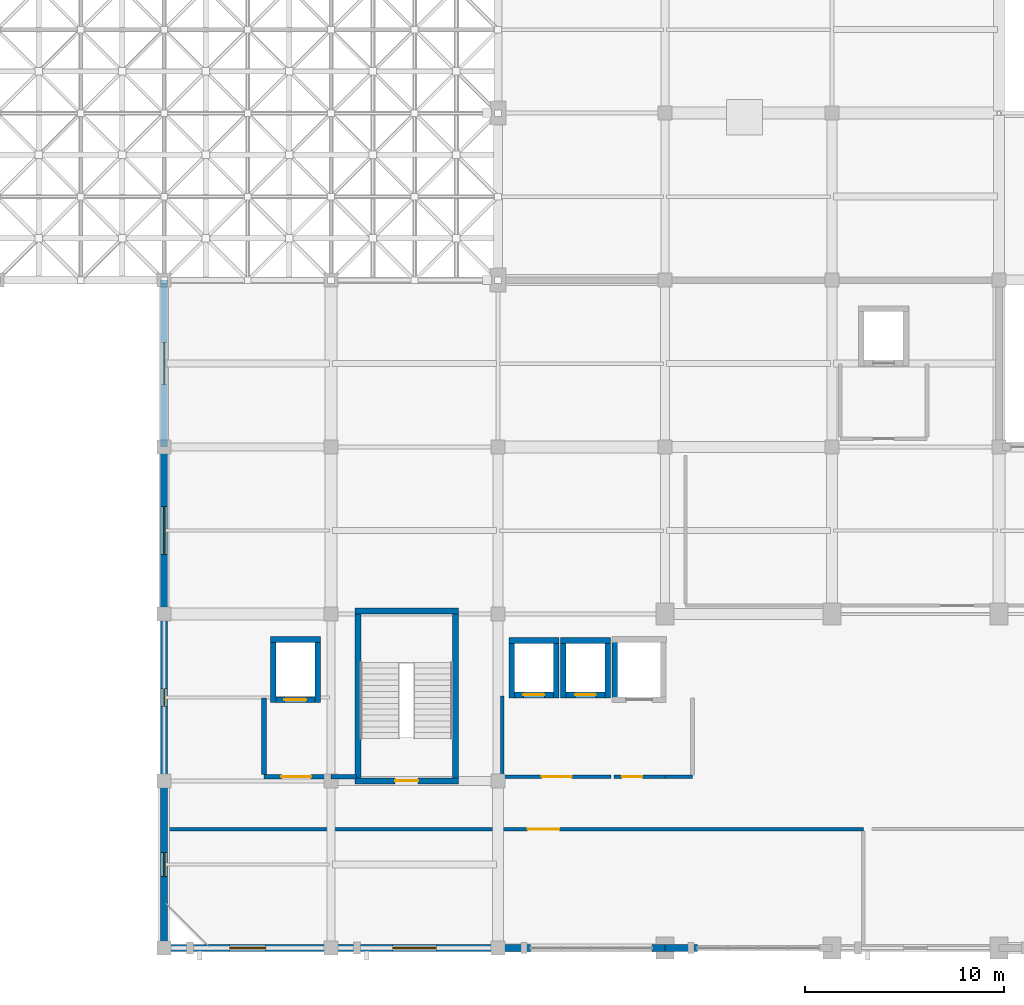
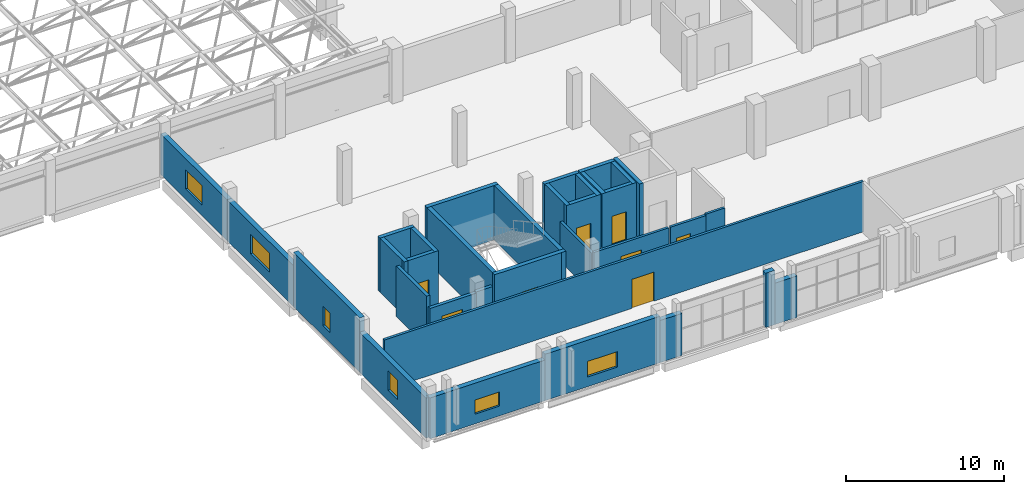
# One storey, part 51 of 64: 34 walls, 8 doors, 6 windows, 14 openings.
"""IFC4 building model written with IfcOpenShell, lengths in metres."""

from ifc_helpers import new_model, si_unit, derived_unit, direction, frame, frame_2d, origin, place, context, subcontext, project, spatial, rectangle, extrude, material, layer, layer_set, type_object, element, fill, save


model = new_model("IFC4")

# Units and contexts
model_context = context("Model", 3, precision=1e-05, world=origin(), true_north=direction((0.0, 1.0)))
body_context = subcontext(model_context, "Body", "Model", "MODEL_VIEW")
ifc_project = project(units=[si_unit("LENGTHUNIT", "METRE"), si_unit("AREAUNIT", "SQUARE_METRE"), si_unit("VOLUMEUNIT", "CUBIC_METRE"), si_unit("PLANEANGLEUNIT", "RADIAN"), si_unit("MASSUNIT", "GRAM", prefix="KILO"), derived_unit("THERMALTRANSMITTANCEUNIT", [(si_unit("POWERUNIT", "WATT"), 1), (si_unit("LENGTHUNIT", "METRE"), -2), (si_unit("THERMODYNAMICTEMPERATUREUNIT", "KELVIN"), -1)])], contexts=[model_context])

# Site, building, storey
site_placement = place(None, origin())
site = spatial("IfcSite", under=ifc_project, at=site_placement, CompositionType="ELEMENT")
building_placement = place(site_placement, origin())
building = spatial("IfcBuilding", under=site, at=building_placement, Name="Barrovel Congress Hotel", CompositionType="ELEMENT")
storey_placement = place(building_placement, frame((0.0, 0.0, 14.10009765625)))
storey = spatial("IfcBuildingStorey", under=building, at=storey_placement, Name="L03", CompositionType="ELEMENT", Elevation=14.10009765625)

# Wall, opening, window
ifc_material_1 = material(Name="Fired Clay Brick Masonry", Category="masonry")
ifc_layer_1 = layer(ifc_material_1, 0.360107421875)
ifc_layer_set_1 = layer_set([ifc_layer_1], Name="Fired Clay Brick Masonry")
wall_type_1 = type_object("IfcWallType", Name="EW-BRK360", PredefinedType="STANDARD", material=ifc_layer_set_1)
wall_1_placement = place(storey_placement, frame((16.800048828125, 4.199951171875, 0.0), z_axis=(0.0, 0.0, 1.0), x_axis=(1.0, 0.0, 0.0)))
wall_1 = element("IfcWall", 1, at=wall_1_placement, inside=storey, type_object=wall_type_1, Name="EW:L03:S:02", PredefinedType="STANDARD", context=body_context, shape_type="SweptSolid", body=[
    extrude(rectangle(XDim=8.39990234375, YDim=0.360107421875, at=frame_2d((4.199951171875, 0.0))), origin(), (0.0, 0.0, 1.0), 3.14990234375),
])
opening_1_placement = place(wall_1_placement, frame((3.300048828125, 0.0, 0.75)))
opening_1 = element("IfcOpeningElement", 2, at=opening_1_placement, cuts=wall_1, Name="Opening WN-19", PredefinedType="OPENING", context=body_context, shape_type="SweptSolid", body=[
    extrude(rectangle(XDim=1.800048828125, YDim=1.10009765625, at=frame_2d((0.89990234375, 0.550048828125))), frame((0.0, 0.18994140625, 0.0), z_axis=(0.0, -1.0, 0.0), x_axis=(1.0, 0.0, 0.0)), (0.0, 0.0, 1.0), 0.380126953125),
])
ifc_material_2 = material(Name="Double Low-E Insulated Glazing", Category="glass")
window_type_1 = type_object("IfcWindowType", Name="WIN-WN-19", PartitioningType="SINGLE_PANEL", PredefinedType="WINDOW", material=ifc_material_2)
window_1_placement = place(opening_1_placement, origin())
window_1 = element("IfcWindow", 3, at=window_1_placement, inside=storey, type_object=window_type_1, Name="WIN:L03:S:02", OverallHeight=1.10009765625, OverallWidth=1.800048828125, PartitioningType="SINGLE_PANEL", PredefinedType="WINDOW", context=body_context, shape_type="SweptSolid", body=[
    extrude(rectangle(XDim=1.800048828125, YDim=1.10009765625, at=frame_2d((0.89990234375, 0.550048828125))), frame((0.0, 0.030029296875, 0.0), z_axis=(0.0, -1.0, 0.0), x_axis=(1.0, 0.0, 0.0)), (0.0, 0.0, 1.0), 0.06005859375),
])
fill(opening_1, window_1)

wall_2_placement = place(storey_placement, frame((25.199951171875, 4.199951171875, 0.0), z_axis=(0.0, 0.0, 1.0), x_axis=(1.0, 0.0, 0.0)))
wall_2 = element("IfcWall", 4, at=wall_2_placement, inside=storey, type_object=wall_type_1, Name="EW:L03:S:03", PredefinedType="STANDARD", context=body_context, shape_type="SweptSolid", body=[
    extrude(rectangle(XDim=8.400146484375, YDim=0.360107421875, at=frame_2d((4.2001953125, 0.0))), origin(), (0.0, 0.0, 1.0), 3.58984375),
])
opening_2_placement = place(wall_2_placement, frame((3.10009765625, 0.0, 0.75)))
opening_2 = element("IfcOpeningElement", 5, at=opening_2_placement, cuts=wall_2, Name="Opening WN-20", PredefinedType="OPENING", context=body_context, shape_type="SweptSolid", body=[
    extrude(rectangle(XDim=2.199951171875, YDim=1.199951171875, at=frame_2d((1.10009765625, 0.60009765625))), frame((0.0, 0.18994140625, 0.0), z_axis=(0.0, -1.0, 0.0), x_axis=(1.0, 0.0, 0.0)), (0.0, 0.0, 1.0), 0.380126953125),
])
window_type_2 = type_object("IfcWindowType", Name="WIN-WN-20", PartitioningType="SINGLE_PANEL", PredefinedType="WINDOW", material=ifc_material_2)
window_2_placement = place(opening_2_placement, origin())
window_2 = element("IfcWindow", 6, at=window_2_placement, inside=storey, type_object=window_type_2, Name="WIN:L03:S:03", OverallHeight=1.199951171875, OverallWidth=2.199951171875, PartitioningType="SINGLE_PANEL", PredefinedType="WINDOW", context=body_context, shape_type="SweptSolid", body=[
    extrude(rectangle(XDim=2.199951171875, YDim=1.199951171875, at=frame_2d((1.10009765625, 0.60009765625))), frame((0.0, 0.030029296875, 0.0), z_axis=(0.0, -1.0, 0.0), x_axis=(1.0, 0.0, 0.0)), (0.0, 0.0, 1.0), 0.06005859375),
])
fill(opening_2, window_2)

# Walls
wall_3_placement = place(storey_placement, frame((33.60009765625, 4.199951171875, 0.0), z_axis=(0.0, 0.0, 1.0), x_axis=(1.0, 0.0, 0.0)))
element("IfcWall", 7, at=wall_3_placement, inside=storey, type_object=wall_type_1, Name="EW:L03:SJ-L:4", PredefinedType="STANDARD", context=body_context, shape_type="SweptSolid", body=[
    extrude(rectangle(XDim=1.619873046875, YDim=0.360107421875, at=frame_2d((0.81005859375, 0.0))), origin(), (0.0, 0.0, 1.0), 3.25),
])
wall_4_placement = place(storey_placement, frame((41.340087890625, 4.199951171875, 0.0), z_axis=(0.0, 0.0, 1.0), x_axis=(1.0, 0.0, 0.0)))
element("IfcWall", 8, at=wall_4_placement, inside=storey, type_object=wall_type_1, Name="EW:L03:SJ-R:4", PredefinedType="STANDARD", context=body_context, shape_type="SweptSolid", body=[
    extrude(rectangle(XDim=0.659912109375, YDim=0.360107421875, at=frame_2d((0.330078125, 0.0))), origin(), (0.0, 0.0, 1.0), 4.199951171875),
])
wall_5_placement = place(storey_placement, frame((42.0, 4.199951171875, 0.0), z_axis=(0.0, 0.0, 1.0), x_axis=(1.0, 0.0, 0.0)))
element("IfcWall", 9, at=wall_5_placement, inside=storey, type_object=wall_type_1, Name="EW:L03:SJ-L:5", PredefinedType="STANDARD", context=body_context, shape_type="SweptSolid", body=[
    extrude(rectangle(XDim=1.6201171875, YDim=0.360107421875, at=frame_2d((0.81005859375, 0.0))), origin(), (0.0, 0.0, 1.0), 3.199951171875),
])

# Wall, opening, window
wall_6_placement = place(storey_placement, frame((16.800048828125, 37.800048828125, 0.0), z_axis=(0.0, 0.0, 1.0), x_axis=(0.0, -1.0, 0.0)))
wall_6 = element("IfcWall", 10, at=wall_6_placement, inside=storey, type_object=wall_type_1, Name="EW:L03:V4W:29.4", PredefinedType="STANDARD", context=body_context, shape_type="SweptSolid", body=[
    extrude(rectangle(XDim=8.400146484375, YDim=0.360107421875, at=frame_2d((4.2001953125, 0.0))), origin(), (0.0, 0.0, 1.0), 3.14990234375),
])
opening_3_placement = place(wall_6_placement, frame((3.14990234375, 0.0, 0.800048828125)))
opening_3 = element("IfcOpeningElement", 11, at=opening_3_placement, cuts=wall_6, Name="Opening WN-09", PredefinedType="OPENING", context=body_context, shape_type="SweptSolid", body=[
    extrude(rectangle(XDim=2.10009765625, YDim=1.5, at=frame_2d((1.050048828125, 0.75))), frame((0.0, 0.18994140625, 0.0), z_axis=(0.0, -1.0, 0.0), x_axis=(1.0, 0.0, 0.0)), (0.0, 0.0, 1.0), 0.380126953125),
])
window_type_3 = type_object("IfcWindowType", Name="WIN-WN-09", PartitioningType="SINGLE_PANEL", PredefinedType="WINDOW", material=ifc_material_2)
window_3_placement = place(opening_3_placement, origin())
window_3 = element("IfcWindow", 12, at=window_3_placement, inside=storey, type_object=window_type_3, Name="WIN:L03:V4W:29.4", OverallHeight=1.5, OverallWidth=2.10009765625, PartitioningType="SINGLE_PANEL", PredefinedType="WINDOW", context=body_context, shape_type="SweptSolid", body=[
    extrude(rectangle(XDim=2.10009765625, YDim=1.5, at=frame_2d((1.050048828125, 0.75))), frame((0.0, 0.030029296875, 0.0), z_axis=(0.0, -1.0, 0.0), x_axis=(1.0, 0.0, 0.0)), (0.0, 0.0, 1.0), 0.06005859375),
])
fill(opening_3, window_3)

wall_7_placement = place(storey_placement, frame((16.800048828125, 29.39990234375, 0.0), z_axis=(0.0, 0.0, 1.0), x_axis=(0.0, -1.0, 0.0)))
wall_7 = element("IfcWall", 13, at=wall_7_placement, inside=storey, type_object=wall_type_1, Name="EW:L03:V4W:21.0", PredefinedType="STANDARD", context=body_context, shape_type="SweptSolid", body=[
    extrude(rectangle(XDim=8.39990234375, YDim=0.360107421875, at=frame_2d((4.199951171875, 0.0))), origin(), (0.0, 0.0, 1.0), 3.14990234375),
])
opening_4_placement = place(wall_7_placement, frame((3.0, 0.0, 0.800048828125)))
opening_4 = element("IfcOpeningElement", 14, at=opening_4_placement, cuts=wall_7, Name="Opening WN-10", PredefinedType="OPENING", context=body_context, shape_type="SweptSolid", body=[
    extrude(rectangle(XDim=2.39990234375, YDim=1.5, at=frame_2d((1.199951171875, 0.75))), frame((0.0, 0.18994140625, 0.0), z_axis=(0.0, -1.0, 0.0), x_axis=(1.0, 0.0, 0.0)), (0.0, 0.0, 1.0), 0.380126953125),
])
window_type_4 = type_object("IfcWindowType", Name="WIN-WN-10", PartitioningType="SINGLE_PANEL", PredefinedType="WINDOW", material=ifc_material_2)
window_4_placement = place(opening_4_placement, origin())
window_4 = element("IfcWindow", 15, at=window_4_placement, inside=storey, type_object=window_type_4, Name="WIN:L03:V4W:21.0", OverallHeight=1.5, OverallWidth=2.39990234375, PartitioningType="SINGLE_PANEL", PredefinedType="WINDOW", context=body_context, shape_type="SweptSolid", body=[
    extrude(rectangle(XDim=2.39990234375, YDim=1.5, at=frame_2d((1.199951171875, 0.75))), frame((0.0, 0.030029296875, 0.0), z_axis=(0.0, -1.0, 0.0), x_axis=(1.0, 0.0, 0.0)), (0.0, 0.0, 1.0), 0.06005859375),
])
fill(opening_4, window_4)

wall_8_placement = place(storey_placement, frame((16.800048828125, 21.0, 0.0), z_axis=(0.0, 0.0, 1.0), x_axis=(0.0, -1.0, 0.0)))
wall_8 = element("IfcWall", 16, at=wall_8_placement, inside=storey, type_object=wall_type_1, Name="EW:L03:V4W:12.6", PredefinedType="STANDARD", context=body_context, shape_type="SweptSolid", body=[
    extrude(rectangle(XDim=8.39990234375, YDim=0.360107421875, at=frame_2d((4.199951171875, 0.0))), origin(), (0.0, 0.0, 1.0), 4.199951171875),
])
opening_5_placement = place(wall_8_placement, frame((3.75, 0.0, 0.800048828125)))
opening_5 = element("IfcOpeningElement", 17, at=opening_5_placement, cuts=wall_8, Name="Opening WN-11", PredefinedType="OPENING", context=body_context, shape_type="SweptSolid", body=[
    extrude(rectangle(XDim=0.89990234375, YDim=1.5, at=frame_2d((0.449951171875, 0.75))), frame((0.0, 0.18994140625, 0.0), z_axis=(0.0, -1.0, 0.0), x_axis=(1.0, 0.0, 0.0)), (0.0, 0.0, 1.0), 0.380126953125),
])
window_type_5 = type_object("IfcWindowType", Name="WIN-WN-11", PartitioningType="SINGLE_PANEL", PredefinedType="WINDOW", material=ifc_material_2)
window_5_placement = place(opening_5_placement, origin())
window_5 = element("IfcWindow", 18, at=window_5_placement, inside=storey, type_object=window_type_5, Name="WIN:L03:V4W:12.6", OverallHeight=1.5, OverallWidth=0.89990234375, PartitioningType="SINGLE_PANEL", PredefinedType="WINDOW", context=body_context, shape_type="SweptSolid", body=[
    extrude(rectangle(XDim=0.89990234375, YDim=1.5, at=frame_2d((0.449951171875, 0.75))), frame((0.0, 0.030029296875, 0.0), z_axis=(0.0, -1.0, 0.0), x_axis=(1.0, 0.0, 0.0)), (0.0, 0.0, 1.0), 0.06005859375),
])
fill(opening_5, window_5)

wall_9_placement = place(storey_placement, frame((16.800048828125, 12.60009765625, 0.0), z_axis=(0.0, 0.0, 1.0), x_axis=(0.0, -1.0, 0.0)))
wall_9 = element("IfcWall", 19, at=wall_9_placement, inside=storey, type_object=wall_type_1, Name="EW:L03:V4W:4.2", PredefinedType="STANDARD", context=body_context, shape_type="SweptSolid", body=[
    extrude(rectangle(XDim=8.400146484375, YDim=0.360107421875, at=frame_2d((4.2001953125, 0.0))), origin(), (0.0, 0.0, 1.0), 3.099853515625),
])
opening_6_placement = place(wall_9_placement, frame((3.60009765625, 0.0, 0.800048828125)))
opening_6 = element("IfcOpeningElement", 20, at=opening_6_placement, cuts=wall_9, Name="Opening WN-12", PredefinedType="OPENING", context=body_context, shape_type="SweptSolid", body=[
    extrude(rectangle(XDim=1.199951171875, YDim=1.5, at=frame_2d((0.60009765625, 0.75))), frame((0.0, 0.18994140625, 0.0), z_axis=(0.0, -1.0, 0.0), x_axis=(1.0, 0.0, 0.0)), (0.0, 0.0, 1.0), 0.380126953125),
])
window_type_6 = type_object("IfcWindowType", Name="WIN-WN-12", PartitioningType="SINGLE_PANEL", PredefinedType="WINDOW", material=ifc_material_2)
window_6_placement = place(opening_6_placement, origin())
window_6 = element("IfcWindow", 21, at=window_6_placement, inside=storey, type_object=window_type_6, Name="WIN:L03:V4W:4.2", OverallHeight=1.5, OverallWidth=1.199951171875, PartitioningType="SINGLE_PANEL", PredefinedType="WINDOW", context=body_context, shape_type="SweptSolid", body=[
    extrude(rectangle(XDim=1.199951171875, YDim=1.5, at=frame_2d((0.60009765625, 0.75))), frame((0.0, 0.030029296875, 0.0), z_axis=(0.0, -1.0, 0.0), x_axis=(1.0, 0.0, 0.0)), (0.0, 0.0, 1.0), 0.06005859375),
])
fill(opening_6, window_6)

# Wall, opening, door
ifc_material_3 = material(Name="Gypsum Acoustic Stud", Category="gypsum")
ifc_layer_2 = layer(ifc_material_3, 0.179931640625)
ifc_layer_set_2 = layer_set([ifc_layer_2], Name="Gypsum Acoustic Stud")
wall_type_2 = type_object("IfcWallType", Name="PW-ACU-180", PredefinedType="PARTITIONING", material=ifc_layer_set_2)
wall_10_placement = place(storey_placement, frame((33.820068359375, 12.820068359375, 0.0), z_axis=(0.0, 0.0, 1.0), x_axis=(1.0, 0.0, 0.0)))
wall_10 = element("IfcWall", 22, at=wall_10_placement, inside=storey, type_object=wall_type_2, Name="RW:SP:L03:LL-C1:S", PredefinedType="PARTITIONING", context=body_context, shape_type="SweptSolid", body=[
    extrude(rectangle(XDim=5.4599609375, YDim=0.179931640625, at=frame_2d((2.72998046875, 0.0))), origin(), (0.0, 0.0, 1.0), 3.14990234375),
])
opening_7_placement = place(wall_10_placement, frame((1.97998046875, 0.0, 0.0)))
opening_7 = element("IfcOpeningElement", 23, at=opening_7_placement, cuts=wall_10, Name="Opening ID-FFL", PredefinedType="OPENING", context=body_context, shape_type="SweptSolid", body=[
    extrude(rectangle(XDim=1.5, YDim=2.14990234375, at=frame_2d((0.75, 1.074951171875))), frame((0.0, 0.10009765625, 0.0), z_axis=(0.0, -1.0, 0.0), x_axis=(1.0, 0.0, 0.0)), (0.0, 0.0, 1.0), 0.199951171875),
])
ifc_material_4 = material(Name="Painted Hollow-Metal Steel Door", Category="steel")
door_type_1 = type_object("IfcDoorType", Name="IDR-ID-FFL", OperationType="NOTDEFINED", PredefinedType="DOOR", material=ifc_material_4)
door_1_placement = place(opening_7_placement, origin())
door_1 = element("IfcDoor", 24, at=door_1_placement, inside=storey, type_object=door_type_1, Name="RD:SP:L03:LL-C1", OperationType="DOUBLE_DOOR_SINGLE_SWING", OverallHeight=2.14990234375, OverallWidth=1.5, PredefinedType="DOOR", context=body_context, shape_type="SweptSolid", body=[
    extrude(rectangle(XDim=1.5, YDim=2.14990234375, at=frame_2d((0.75, 1.074951171875))), frame((0.0, 0.02490234375, 0.0), z_axis=(0.0, -1.0, 0.0), x_axis=(1.0, 0.0, 0.0)), (0.0, 0.0, 1.0), 0.050048828125),
])
fill(opening_7, door_1)

# Wall
wall_11_placement = place(storey_placement, frame((33.820068359375, 12.909912109375, 0.0), z_axis=(0.0, 0.0, 1.0), x_axis=(0.0, 1.0, 0.0)))
element("IfcWall", 25, at=wall_11_placement, inside=storey, type_object=wall_type_2, Name="RW:SP:L03:LL-C1:W", PredefinedType="PARTITIONING", context=body_context, shape_type="SweptSolid", body=[
    extrude(rectangle(XDim=3.969970703125, YDim=0.179931640625, at=frame_2d((1.98486328125, 0.0))), origin(), (0.0, 0.0, 1.0), 3.0498046875),
])

# Wall, opening, door
wall_12_placement = place(storey_placement, frame((39.419921875, 12.820068359375, 0.0), z_axis=(0.0, 0.0, 1.0), x_axis=(1.0, 0.0, 0.0)))
wall_12 = element("IfcWall", 26, at=wall_12_placement, inside=storey, type_object=wall_type_2, Name="RW:SP:L03:LL-SL1:S", PredefinedType="PARTITIONING", context=body_context, shape_type="SweptSolid", body=[
    extrude(rectangle(XDim=2.580078125, YDim=0.179931640625, at=frame_2d((1.2900390625, 0.0))), origin(), (0.0, 0.0, 1.0), 3.14990234375),
])
opening_8_placement = place(wall_12_placement, frame((0.419921875, 0.0, 0.0)))
opening_8 = element("IfcOpeningElement", 27, at=opening_8_placement, cuts=wall_12, Name="Opening ID-ACC", PredefinedType="OPENING", context=body_context, shape_type="SweptSolid", body=[
    extrude(rectangle(XDim=1.02001953125, YDim=2.14990234375, at=frame_2d((0.510009765625, 1.074951171875))), frame((0.0, 0.10009765625, 0.0), z_axis=(0.0, -1.0, 0.0), x_axis=(1.0, 0.0, 0.0)), (0.0, 0.0, 1.0), 0.199951171875),
])
ifc_material_5 = material(Name="Solid Oak Acoustic Timber Door", Category="wood")
door_type_2 = type_object("IfcDoorType", Name="IDR-ID-ACC", OperationType="NOTDEFINED", PredefinedType="DOOR", material=ifc_material_5)
door_2_placement = place(opening_8_placement, origin())
door_2 = element("IfcDoor", 28, at=door_2_placement, inside=storey, type_object=door_type_2, Name="RD:SP:L03:LL-SL1", OperationType="SINGLE_SWING_RIGHT", OverallHeight=2.14990234375, OverallWidth=1.02001953125, PredefinedType="DOOR", context=body_context, shape_type="SweptSolid", body=[
    extrude(rectangle(XDim=1.02001953125, YDim=2.14990234375, at=frame_2d((0.510009765625, 1.074951171875))), frame((0.0, 0.02490234375, 0.0), z_axis=(0.0, -1.0, 0.0), x_axis=(1.0, 0.0, 0.0)), (0.0, 0.0, 1.0), 0.050048828125),
])
fill(opening_8, door_2)

wall_13_placement = place(storey_placement, frame((16.97998046875, 10.179931640625, 0.0), z_axis=(0.0, 0.0, 1.0), x_axis=(1.0, 0.0, 0.0)))
wall_13 = element("IfcWall", 29, at=wall_13_placement, inside=storey, type_object=wall_type_2, Name="RW:SP:L03:EXEC-1:N", PredefinedType="PARTITIONING", context=body_context, shape_type="SweptSolid", body=[
    extrude(rectangle(XDim=35.0, YDim=0.179931640625, at=frame_2d((17.5, 0.0))), origin(), (0.0, 0.0, 1.0), 3.89501953125),
])
opening_9_placement = place(wall_13_placement, frame((18.10009765625, 0.0, 0.0)))
opening_9 = element("IfcOpeningElement", 30, at=opening_9_placement, cuts=wall_13, Name="Opening ID-MTG", PredefinedType="OPENING", context=body_context, shape_type="SweptSolid", body=[
    extrude(rectangle(XDim=1.60009765625, YDim=2.25, at=frame_2d((0.800048828125, 1.125))), frame((0.0, 0.10009765625, 0.0), z_axis=(0.0, -1.0, 0.0), x_axis=(1.0, 0.0, 0.0)), (0.0, 0.0, 1.0), 0.199951171875),
])
door_type_3 = type_object("IfcDoorType", Name="IDR-ID-MTG", OperationType="NOTDEFINED", PredefinedType="DOOR", material=ifc_material_5)
door_3_placement = place(opening_9_placement, origin())
door_3 = element("IfcDoor", 31, at=door_3_placement, inside=storey, type_object=door_type_3, Name="RD:SP:L03:EXEC-1", OperationType="DOUBLE_DOOR_SINGLE_SWING", OverallHeight=2.25, OverallWidth=1.60009765625, PredefinedType="DOOR", context=body_context, shape_type="SweptSolid", body=[
    extrude(rectangle(XDim=1.60009765625, YDim=2.25, at=frame_2d((0.800048828125, 1.125))), frame((0.0, 0.02490234375, 0.0), z_axis=(0.0, -1.0, 0.0), x_axis=(1.0, 0.0, 0.0)), (0.0, 0.0, 1.0), 0.050048828125),
])
fill(opening_9, door_3)

# Wall
wall_14_placement = place(storey_placement, frame((42.0, 12.820068359375, 0.0), z_axis=(0.0, 0.0, 1.0), x_axis=(1.0, 0.0, 0.0)))
element("IfcWall", 32, at=wall_14_placement, inside=storey, type_object=wall_type_2, Name="RW:SP:L03:LL-SL1:S:P02", PredefinedType="PARTITIONING", context=body_context, shape_type="SweptSolid", body=[
    extrude(rectangle(XDim=1.3798828125, YDim=0.179931640625, at=frame_2d((0.68994140625, 0.0))), origin(), (0.0, 0.0, 1.0), 3.25),
])

# Wall, opening, door
ifc_layer_3 = layer(ifc_material_1, 0.239990234375)
ifc_layer_set_3 = layer_set([ifc_layer_3], Name="Fired Clay Brick Masonry")
wall_type_3 = type_object("IfcWallType", Name="PW-MAS-240", PredefinedType="PARTITIONING", material=ifc_layer_set_3)
wall_15_placement = place(storey_placement, frame((21.820068359375, 12.820068359375, 0.0), z_axis=(0.0, 0.0, 1.0), x_axis=(1.0, 0.0, 0.0)))
wall_15 = element("IfcWall", 33, at=wall_15_placement, inside=storey, type_object=wall_type_3, Name="RW:SP:L03:FFL-1:S", PredefinedType="PARTITIONING", context=body_context, shape_type="SweptSolid", body=[
    extrude(rectangle(XDim=3.3798828125, YDim=0.239990234375, at=frame_2d((1.68994140625, 0.0))), origin(), (0.0, 0.0, 1.0), 3.0498046875),
])
opening_10_placement = place(wall_15_placement, frame((0.8798828125, 0.0, 0.0)))
opening_10 = element("IfcOpeningElement", 34, at=opening_10_placement, cuts=wall_15, Name="Opening ID-FFL", PredefinedType="OPENING", context=body_context, shape_type="SweptSolid", body=[
    extrude(rectangle(XDim=1.5, YDim=2.14990234375, at=frame_2d((0.75, 1.074951171875))), frame((0.0, 0.1298828125, 0.0), z_axis=(0.0, -1.0, 0.0), x_axis=(1.0, 0.0, 0.0)), (0.0, 0.0, 1.0), 0.260009765625),
])
door_4_placement = place(opening_10_placement, origin())
door_4 = element("IfcDoor", 35, at=door_4_placement, inside=storey, type_object=door_type_1, Name="RD:SP:L03:FFL-1", OperationType="DOUBLE_DOOR_SINGLE_SWING", OverallHeight=2.14990234375, OverallWidth=1.5, PredefinedType="DOOR", context=body_context, shape_type="SweptSolid", body=[
    extrude(rectangle(XDim=1.5, YDim=2.14990234375, at=frame_2d((0.75, 1.074951171875))), frame((0.0, 0.02490234375, 0.0), z_axis=(0.0, -1.0, 0.0), x_axis=(1.0, 0.0, 0.0)), (0.0, 0.0, 1.0), 0.050048828125),
])
fill(opening_10, door_4)

# Walls
wall_16_placement = place(storey_placement, frame((21.820068359375, 12.93994140625, 0.0), z_axis=(0.0, 0.0, 1.0), x_axis=(0.0, 1.0, 0.0)))
element("IfcWall", 36, at=wall_16_placement, inside=storey, type_object=wall_type_3, Name="RW:SP:L03:FFL-1:W", PredefinedType="PARTITIONING", context=body_context, shape_type="SweptSolid", body=[
    extrude(rectangle(XDim=3.840087890625, YDim=0.239990234375, at=frame_2d((1.919921875, 0.0))), origin(), (0.0, 0.0, 1.0), 3.89501953125),
])
wall_17_placement = place(storey_placement, frame((25.199951171875, 12.820068359375, 0.0), z_axis=(0.0, 0.0, 1.0), x_axis=(1.0, 0.0, 0.0)))
element("IfcWall", 37, at=wall_17_placement, inside=storey, type_object=wall_type_3, Name="RW:SP:L03:FFL-1:S:P02", PredefinedType="PARTITIONING", context=body_context, shape_type="SweptSolid", body=[
    extrude(rectangle(XDim=1.280029296875, YDim=0.239990234375, at=frame_2d((0.64013671875, 0.0))), origin(), (0.0, 0.0, 1.0), 3.14990234375),
])

# Wall, opening, door
ifc_material_6 = material(Name="Concrete C40", Category="concrete")
ifc_layer_4 = layer(ifc_material_6, 0.280029296875)
ifc_layer_set_4 = layer_set([ifc_layer_4], Name="Concrete C40")
wall_type_4 = type_object("IfcWallType", Name="SW-C40-280", PredefinedType="SHEAR", material=ifc_layer_set_4)
wall_18_placement = place(storey_placement, frame((22.139892578125, 16.679931640625, 0.0), z_axis=(0.0, 0.0, 1.0), x_axis=(1.0, 0.0, 0.0)))
wall_18 = element("IfcWall", 38, at=wall_18_placement, inside=storey, type_object=wall_type_4, Name="LSH:FL-1:L03:S", PredefinedType="SHEAR", context=body_context, shape_type="SweptSolid", body=[
    extrude(rectangle(XDim=2.52001953125, YDim=0.280029296875, at=frame_2d((1.260009765625, 0.0))), origin(), (0.0, 0.0, 1.0), 4.199951171875),
])
opening_11_placement = place(wall_18_placement, frame((0.7099609375, 0.0, 0.0)))
opening_11 = element("IfcOpeningElement", 39, at=opening_11_placement, cuts=wall_18, Name="Opening LD-FF", PredefinedType="OPENING", context=body_context, shape_type="SweptSolid", body=[
    extrude(rectangle(XDim=1.10009765625, YDim=2.199951171875, at=frame_2d((0.550048828125, 1.10009765625))), frame((0.0, 0.14990234375, 0.0), z_axis=(0.0, -1.0, 0.0), x_axis=(1.0, 0.0, 0.0)), (0.0, 0.0, 1.0), 0.300048828125),
])
ifc_material_7 = material(Name="Brushed Stainless Steel", Category="steel")
door_type_4 = type_object("IfcDoorType", Name="IDR-LD-FF", OperationType="NOTDEFINED", PredefinedType="DOOR", material=ifc_material_7)
door_5_placement = place(opening_11_placement, origin())
door_5 = element("IfcDoor", 40, at=door_5_placement, inside=storey, type_object=door_type_4, Name="Lift Landing Door LD-FL-1-L03", OperationType="SLIDING_TO_LEFT", OverallHeight=2.199951171875, OverallWidth=1.10009765625, PredefinedType="DOOR", context=body_context, shape_type="SweptSolid", body=[
    extrude(rectangle(XDim=1.10009765625, YDim=2.199951171875, at=frame_2d((0.550048828125, 1.10009765625))), frame((0.0, 0.02490234375, 0.0), z_axis=(0.0, -1.0, 0.0), x_axis=(1.0, 0.0, 0.0)), (0.0, 0.0, 1.0), 0.050048828125),
])
fill(opening_11, door_5)

# Walls
wall_19_placement = place(storey_placement, frame((24.52001953125, 16.5400390625, 0.0), z_axis=(0.0, 0.0, 1.0), x_axis=(0.0, 1.0, 0.0)))
element("IfcWall", 41, at=wall_19_placement, inside=storey, type_object=wall_type_4, Name="LSH:FL-1:L03:E", PredefinedType="SHEAR", context=body_context, shape_type="SweptSolid", body=[
    extrude(rectangle(XDim=3.320068359375, YDim=0.280029296875, at=frame_2d((1.66015625, 0.0))), origin(), (0.0, 0.0, 1.0), 4.199951171875),
])
wall_20_placement = place(storey_placement, frame((24.659912109375, 19.719970703125, 0.0), z_axis=(0.0, 0.0, 1.0), x_axis=(-1.0, 0.0, 0.0)))
element("IfcWall", 42, at=wall_20_placement, inside=storey, type_object=wall_type_4, Name="LSH:FL-1:L03:N", PredefinedType="SHEAR", context=body_context, shape_type="SweptSolid", body=[
    extrude(rectangle(XDim=2.52001953125, YDim=0.280029296875, at=frame_2d((1.260009765625, 0.0))), origin(), (0.0, 0.0, 1.0), 4.199951171875),
])
wall_21_placement = place(storey_placement, frame((22.280029296875, 19.860107421875, 0.0), z_axis=(0.0, 0.0, 1.0), x_axis=(0.0, -1.0, 0.0)))
element("IfcWall", 43, at=wall_21_placement, inside=storey, type_object=wall_type_4, Name="LSH:FL-1:L03:W", PredefinedType="SHEAR", context=body_context, shape_type="SweptSolid", body=[
    extrude(rectangle(XDim=3.320068359375, YDim=0.280029296875, at=frame_2d((1.66015625, 0.0))), origin(), (0.0, 0.0, 1.0), 4.199951171875),
])

# Wall, opening, door
wall_22_placement = place(storey_placement, frame((34.139892578125, 16.929931640625, 0.0), z_axis=(0.0, 0.0, 1.0), x_axis=(1.0, 0.0, 0.0)))
wall_22 = element("IfcWall", 44, at=wall_22_placement, inside=storey, type_object=wall_type_4, Name="LSH:PL-1:L03:S", PredefinedType="SHEAR", context=body_context, shape_type="SweptSolid", body=[
    extrude(rectangle(XDim=2.52001953125, YDim=0.280029296875, at=frame_2d((1.260009765625, 0.0))), origin(), (0.0, 0.0, 1.0), 4.199951171875),
])
opening_12_placement = place(wall_22_placement, frame((0.735107421875, 0.0, 0.0)))
opening_12 = element("IfcOpeningElement", 45, at=opening_12_placement, cuts=wall_22, Name="Opening LD-PAX", PredefinedType="OPENING", context=body_context, shape_type="SweptSolid", body=[
    extrude(rectangle(XDim=1.050048828125, YDim=2.199951171875, at=frame_2d((0.52490234375, 1.10009765625))), frame((0.0, 0.14990234375, 0.0), z_axis=(0.0, -1.0, 0.0), x_axis=(1.0, 0.0, 0.0)), (0.0, 0.0, 1.0), 0.300048828125),
])
door_type_5 = type_object("IfcDoorType", Name="IDR-LD-PAX", OperationType="NOTDEFINED", PredefinedType="DOOR", material=ifc_material_7)
door_6_placement = place(opening_12_placement, origin())
door_6 = element("IfcDoor", 46, at=door_6_placement, inside=storey, type_object=door_type_5, Name="Lift Landing Door LD-PL-1-L03", OperationType="SLIDING_TO_LEFT", OverallHeight=2.199951171875, OverallWidth=1.050048828125, PredefinedType="DOOR", context=body_context, shape_type="SweptSolid", body=[
    extrude(rectangle(XDim=1.050048828125, YDim=2.199951171875, at=frame_2d((0.52490234375, 1.10009765625))), frame((0.0, 0.02490234375, 0.0), z_axis=(0.0, -1.0, 0.0), x_axis=(1.0, 0.0, 0.0)), (0.0, 0.0, 1.0), 0.050048828125),
])
fill(opening_12, door_6)

# Walls
wall_23_placement = place(storey_placement, frame((36.52001953125, 16.7900390625, 0.0), z_axis=(0.0, 0.0, 1.0), x_axis=(0.0, 1.0, 0.0)))
element("IfcWall", 47, at=wall_23_placement, inside=storey, type_object=wall_type_4, Name="LSH:PL-1:L03:E", PredefinedType="SHEAR", context=body_context, shape_type="SweptSolid", body=[
    extrude(rectangle(XDim=3.02001953125, YDim=0.280029296875, at=frame_2d((1.510009765625, 0.0))), origin(), (0.0, 0.0, 1.0), 4.199951171875),
])
wall_24_placement = place(storey_placement, frame((36.659912109375, 19.669921875, 0.0), z_axis=(0.0, 0.0, 1.0), x_axis=(-1.0, 0.0, 0.0)))
element("IfcWall", 48, at=wall_24_placement, inside=storey, type_object=wall_type_4, Name="LSH:PL-1:L03:N", PredefinedType="SHEAR", context=body_context, shape_type="SweptSolid", body=[
    extrude(rectangle(XDim=2.52001953125, YDim=0.280029296875, at=frame_2d((1.260009765625, 0.0))), origin(), (0.0, 0.0, 1.0), 4.199951171875),
])
wall_25_placement = place(storey_placement, frame((34.280029296875, 19.81005859375, 0.0), z_axis=(0.0, 0.0, 1.0), x_axis=(0.0, -1.0, 0.0)))
element("IfcWall", 49, at=wall_25_placement, inside=storey, type_object=wall_type_4, Name="LSH:PL-1:L03:W", PredefinedType="SHEAR", context=body_context, shape_type="SweptSolid", body=[
    extrude(rectangle(XDim=3.02001953125, YDim=0.280029296875, at=frame_2d((1.510009765625, 0.0))), origin(), (0.0, 0.0, 1.0), 4.199951171875),
])

# Wall, opening, door
wall_26_placement = place(storey_placement, frame((36.739990234375, 16.929931640625, 0.0), z_axis=(0.0, 0.0, 1.0), x_axis=(1.0, 0.0, 0.0)))
wall_26 = element("IfcWall", 50, at=wall_26_placement, inside=storey, type_object=wall_type_4, Name="LSH:PL-2:L03:S", PredefinedType="SHEAR", context=body_context, shape_type="SweptSolid", body=[
    extrude(rectangle(XDim=2.52001953125, YDim=0.280029296875, at=frame_2d((1.260009765625, 0.0))), origin(), (0.0, 0.0, 1.0), 4.199951171875),
])
opening_13_placement = place(wall_26_placement, frame((0.735107421875, 0.0, 0.0)))
opening_13 = element("IfcOpeningElement", 51, at=opening_13_placement, cuts=wall_26, Name="Opening LD-PAX", PredefinedType="OPENING", context=body_context, shape_type="SweptSolid", body=[
    extrude(rectangle(XDim=1.050048828125, YDim=2.199951171875, at=frame_2d((0.52490234375, 1.10009765625))), frame((0.0, 0.14990234375, 0.0), z_axis=(0.0, -1.0, 0.0), x_axis=(1.0, 0.0, 0.0)), (0.0, 0.0, 1.0), 0.300048828125),
])
door_7_placement = place(opening_13_placement, origin())
door_7 = element("IfcDoor", 52, at=door_7_placement, inside=storey, type_object=door_type_5, Name="Lift Landing Door LD-PL-2-L03", OperationType="SLIDING_TO_LEFT", OverallHeight=2.199951171875, OverallWidth=1.050048828125, PredefinedType="DOOR", context=body_context, shape_type="SweptSolid", body=[
    extrude(rectangle(XDim=1.050048828125, YDim=2.199951171875, at=frame_2d((0.52490234375, 1.10009765625))), frame((0.0, 0.02490234375, 0.0), z_axis=(0.0, -1.0, 0.0), x_axis=(1.0, 0.0, 0.0)), (0.0, 0.0, 1.0), 0.050048828125),
])
fill(opening_13, door_7)

# Walls
wall_27_placement = place(storey_placement, frame((39.1201171875, 16.7900390625, 0.0), z_axis=(0.0, 0.0, 1.0), x_axis=(0.0, 1.0, 0.0)))
element("IfcWall", 53, at=wall_27_placement, inside=storey, type_object=wall_type_4, Name="LSH:PL-2:L03:E", PredefinedType="SHEAR", context=body_context, shape_type="SweptSolid", body=[
    extrude(rectangle(XDim=3.02001953125, YDim=0.280029296875, at=frame_2d((1.510009765625, 0.0))), origin(), (0.0, 0.0, 1.0), 4.199951171875),
])
wall_28_placement = place(storey_placement, frame((39.260009765625, 19.669921875, 0.0), z_axis=(0.0, 0.0, 1.0), x_axis=(-1.0, 0.0, 0.0)))
element("IfcWall", 54, at=wall_28_placement, inside=storey, type_object=wall_type_4, Name="LSH:PL-2:L03:N", PredefinedType="SHEAR", context=body_context, shape_type="SweptSolid", body=[
    extrude(rectangle(XDim=2.52001953125, YDim=0.280029296875, at=frame_2d((1.260009765625, 0.0))), origin(), (0.0, 0.0, 1.0), 4.199951171875),
])
wall_29_placement = place(storey_placement, frame((36.8798828125, 19.81005859375, 0.0), z_axis=(0.0, 0.0, 1.0), x_axis=(0.0, -1.0, 0.0)))
element("IfcWall", 55, at=wall_29_placement, inside=storey, type_object=wall_type_4, Name="LSH:PL-2:L03:W", PredefinedType="SHEAR", context=body_context, shape_type="SweptSolid", body=[
    extrude(rectangle(XDim=3.02001953125, YDim=0.280029296875, at=frame_2d((1.510009765625, 0.0))), origin(), (0.0, 0.0, 1.0), 4.199951171875),
])
wall_30_placement = place(storey_placement, frame((39.47998046875, 19.860107421875, 0.0), z_axis=(0.0, 0.0, 1.0), x_axis=(0.0, -1.0, 0.0)))
element("IfcWall", 56, at=wall_30_placement, inside=storey, type_object=wall_type_4, Name="LSH:SL-1:L03:W", PredefinedType="SHEAR", context=body_context, shape_type="SweptSolid", body=[
    extrude(rectangle(XDim=3.320068359375, YDim=0.280029296875, at=frame_2d((1.66015625, 0.0))), origin(), (0.0, 0.0, 1.0), 4.199951171875),
])

# Wall, opening, door
ifc_layer_5 = layer(ifc_material_6, 0.300048828125)
ifc_layer_set_5 = layer_set([ifc_layer_5], Name="Concrete C40")
wall_type_5 = type_object("IfcWallType", Name="SW-C40-300", PredefinedType="SHEAR", material=ifc_layer_set_5)
wall_31_placement = place(storey_placement, frame((26.39990234375, 12.610107421875, 0.0), z_axis=(0.0, 0.0, 1.0), x_axis=(1.0, 0.0, 0.0)))
wall_31 = element("IfcWall", 57, at=wall_31_placement, inside=storey, type_object=wall_type_5, Name="SHW:XS-01:L03:S", PredefinedType="SHEAR", context=body_context, shape_type="SweptSolid", body=[
    extrude(rectangle(XDim=5.2001953125, YDim=0.300048828125, at=frame_2d((2.60009765625, 0.0))), origin(), (0.0, 0.0, 1.0), 4.199951171875),
])
opening_14_placement = place(wall_31_placement, frame((2.02490234375, 0.0, 0.0)))
opening_14 = element("IfcOpeningElement", 58, at=opening_14_placement, cuts=wall_31, Name="Opening ID-ST1", PredefinedType="OPENING", context=body_context, shape_type="SweptSolid", body=[
    extrude(rectangle(XDim=1.14990234375, YDim=2.14990234375, at=frame_2d((0.574951171875, 1.074951171875))), frame((0.0, 0.16015625, 0.0), z_axis=(0.0, -1.0, 0.0), x_axis=(1.0, 0.0, 0.0)), (0.0, 0.0, 1.0), 0.320068359375),
])
door_type_6 = type_object("IfcDoorType", Name="IDR-ID-ST1", OperationType="NOTDEFINED", PredefinedType="DOOR", material=ifc_material_4)
door_8_placement = place(opening_14_placement, origin())
door_8 = element("IfcDoor", 59, at=door_8_placement, inside=storey, type_object=door_type_6, Name="Stair Core Fire Door XS-01-L03", OperationType="SINGLE_SWING_LEFT", OverallHeight=2.14990234375, OverallWidth=1.14990234375, PredefinedType="DOOR", context=body_context, shape_type="SweptSolid", body=[
    extrude(rectangle(XDim=1.14990234375, YDim=2.14990234375, at=frame_2d((0.574951171875, 1.074951171875))), frame((0.0, 0.02490234375, 0.0), z_axis=(0.0, -1.0, 0.0), x_axis=(1.0, 0.0, 0.0)), (0.0, 0.0, 1.0), 0.050048828125),
])
fill(opening_14, door_8)

# Walls
wall_32_placement = place(storey_placement, frame((31.449951171875, 12.4599609375, 0.0), z_axis=(0.0, 0.0, 1.0), x_axis=(0.0, 1.0, 0.0)))
element("IfcWall", 60, at=wall_32_placement, inside=storey, type_object=wall_type_5, Name="SHW:XS-01:L03:E", PredefinedType="SHEAR", context=body_context, shape_type="SweptSolid", body=[
    extrude(rectangle(XDim=8.840087890625, YDim=0.300048828125, at=frame_2d((4.419921875, 0.0))), origin(), (0.0, 0.0, 1.0), 4.199951171875),
])
wall_33_placement = place(storey_placement, frame((31.60009765625, 21.14990234375, 0.0), z_axis=(0.0, 0.0, 1.0), x_axis=(-1.0, 0.0, 0.0)))
element("IfcWall", 61, at=wall_33_placement, inside=storey, type_object=wall_type_5, Name="SHW:XS-01:L03:N", PredefinedType="SHEAR", context=body_context, shape_type="SweptSolid", body=[
    extrude(rectangle(XDim=5.2001953125, YDim=0.300048828125, at=frame_2d((2.60009765625, 0.0))), origin(), (0.0, 0.0, 1.0), 4.199951171875),
])
wall_34_placement = place(storey_placement, frame((26.550048828125, 21.300048828125, 0.0), z_axis=(0.0, 0.0, 1.0), x_axis=(0.0, -1.0, 0.0)))
element("IfcWall", 62, at=wall_34_placement, inside=storey, type_object=wall_type_5, Name="SHW:XS-01:L03:W", PredefinedType="SHEAR", context=body_context, shape_type="SweptSolid", body=[
    extrude(rectangle(XDim=8.840087890625, YDim=0.300048828125, at=frame_2d((4.419921875, 0.0))), origin(), (0.0, 0.0, 1.0), 4.199951171875),
])

save(model, "model.ifc")
